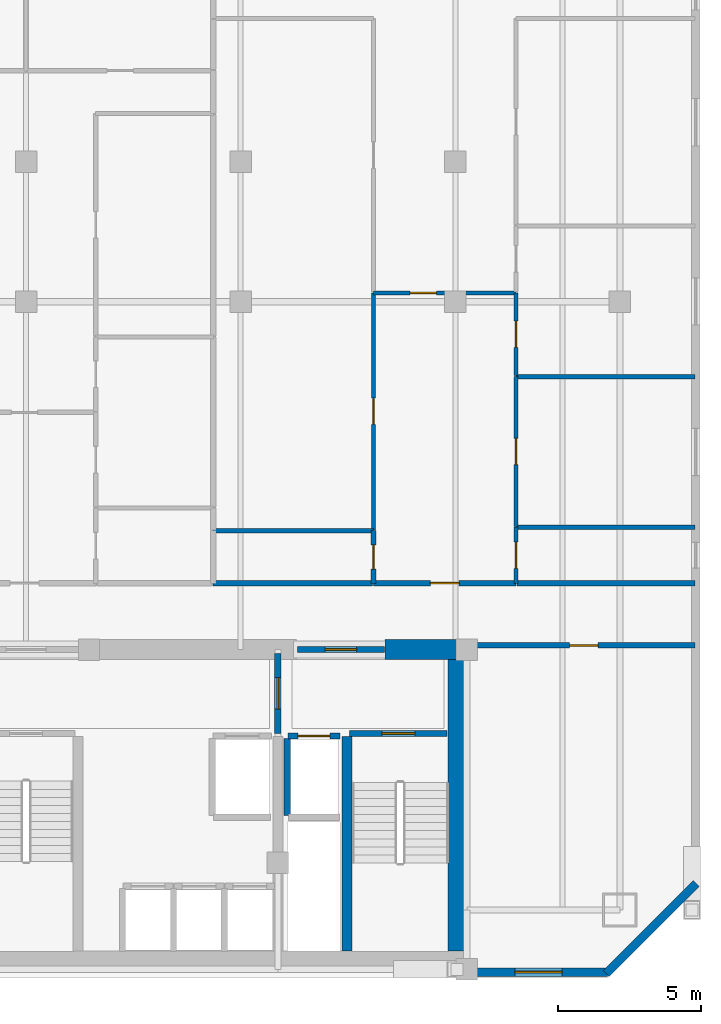
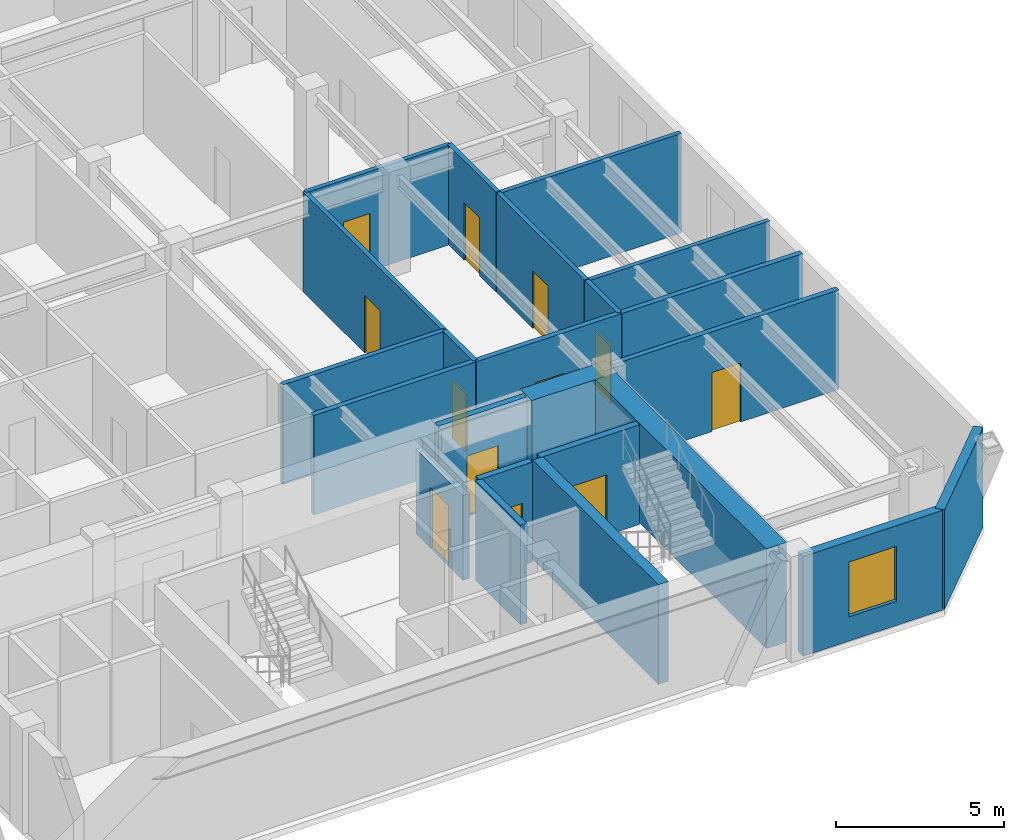
# One storey, part 5 of 8: 23 walls, 12 doors, 1 window, 13 openings.
"""IFC4 building model written with IfcOpenShell, lengths in metres."""

from ifc_helpers import new_model, si_unit, direction, frame, frame_2d, origin, place, context, subcontext, project, spatial, rectangle, extrude, material, layer, layer_set, type_object, element, fill, save


model = new_model("IFC4")

# Units and contexts
model_context = context("Model", 3, precision=1e-05, world=origin(), true_north=direction((0.0, 1.0)))
body_context = subcontext(model_context, "Body", "Model", "MODEL_VIEW")
ifc_project = project(units=[si_unit("LENGTHUNIT", "METRE"), si_unit("AREAUNIT", "SQUARE_METRE"), si_unit("VOLUMEUNIT", "CUBIC_METRE"), si_unit("PLANEANGLEUNIT", "RADIAN"), si_unit("MASSUNIT", "GRAM", prefix="KILO")], contexts=[model_context])

# Site, building, storey
site_placement = place(None, origin())
site = spatial("IfcSite", under=ifc_project, at=site_placement, CompositionType="ELEMENT")
building_placement = place(site_placement, origin())
building = spatial("IfcBuilding", under=site, at=building_placement, Name="Ventersveld Concourse Tower", CompositionType="ELEMENT")
storey_placement = place(building_placement, frame((0.0, 0.0, 183.699951171875)))
storey = spatial("IfcBuildingStorey", under=building, at=storey_placement, Name="L45", CompositionType="ELEMENT", Elevation=183.699951171875)

# Walls
ifc_material_1 = material(Name="Concrete C60/75", Category="concrete")
ifc_layer_1 = layer(ifc_material_1, 0.35009765625)
ifc_layer_set_1 = layer_set([ifc_layer_1], Name="Concrete C60/75")
wall_type_1 = type_object("IfcWallType", Name="WL-CORE-350L", PredefinedType="SHEAR", material=ifc_layer_set_1)
wall_1_placement = place(storey_placement, frame((39.9599609375, 0.919921875, 0.0), z_axis=(0.0, 0.0, 1.0), x_axis=(0.0, 1.0, 0.0)))
element("IfcWall", 1, at=wall_1_placement, inside=storey, type_object=wall_type_1, Name="L45 Core Internal Shear Web W-ST2-W", PredefinedType="SHEAR", context=body_context, shape_type="SweptSolid", body=[
    extrude(rectangle(XDim=7.5, YDim=0.35009765625, at=frame_2d((3.75, 0.0))), origin(), (0.0, 0.0, 1.0), 3.630126953125),
])
ifc_layer_2 = layer(ifc_material_1, 0.699951171875)
ifc_layer_set_2 = layer_set([ifc_layer_2], Name="Concrete C60/75")
wall_type_2 = type_object("IfcWallType", Name="WL-CORE-700", PredefinedType="SHEAR", material=ifc_layer_set_2)
wall_2_placement = place(storey_placement, frame((43.85009765625, 0.919921875, 0.0), z_axis=(0.0, 0.0, 1.0), x_axis=(0.0, 1.0, 0.0)))
element("IfcWall", 2, at=wall_2_placement, inside=storey, type_object=wall_type_2, Name="L45 Rear Core East Shear Wall", PredefinedType="SHEAR", context=body_context, shape_type="SweptSolid", body=[
    extrude(rectangle(XDim=10.530029296875, YDim=0.699951171875, at=frame_2d((5.26513671875, 0.0))), origin(), (0.0, 0.0, 1.0), 3.630126953125),
])
wall_3_placement = place(storey_placement, frame((41.300048828125, 11.449951171875, 0.0), z_axis=(0.0, 0.0, 1.0), x_axis=(1.0, 0.0, 0.0)))
element("IfcWall", 3, at=wall_3_placement, inside=storey, type_object=wall_type_2, Name="L45 Rear Core North Shear Wall NE", PredefinedType="SHEAR", context=body_context, shape_type="SweptSolid", body=[
    extrude(rectangle(XDim=2.949951171875, YDim=0.699951171875, at=frame_2d((1.47509765625, 0.0))), origin(), (0.0, 0.0, 1.0), 3.630126953125),
])

# Wall, opening, door
ifc_material_2 = material(Name="Fire-rated autoclaved aerated masonry blockwork", Category="masonry")
ifc_layer_3 = layer(ifc_material_2, 0.179931640625)
ifc_layer_set_3 = layer_set([ifc_layer_3], Name="Fire-rated autoclaved aerated masonry blockwork")
wall_type_3 = type_object("IfcWallType", Name="WL-CORR-180", PredefinedType="PARTITIONING", material=ifc_layer_set_3)
wall_4_placement = place(storey_placement, frame((44.35498046875, 11.60009765625, 0.0), z_axis=(0.0, 0.0, 1.0), x_axis=(1.0, 0.0, 0.0)))
wall_4 = element("IfcWall", 4, at=wall_4_placement, inside=storey, type_object=wall_type_3, Name="L45 Interior Partition SP-L45-SE-OFF-SP-L45-COR", PredefinedType="PARTITIONING", context=body_context, shape_type="SweptSolid", body=[
    extrude(rectangle(XDim=7.7724609375, YDim=0.179931640625, at=frame_2d((3.88623046875, 0.0))), origin(), (0.0, 0.0, 1.0), 3.630126953125),
])
opening_1_placement = place(wall_4_placement, frame((3.38623046875, 0.0, 0.0)))
opening_1 = element("IfcOpeningElement", 5, at=opening_1_placement, cuts=wall_4, Name="Opening FD3", PredefinedType="OPENING", context=body_context, shape_type="SweptSolid", body=[
    extrude(rectangle(XDim=1.0, YDim=2.14990234375, at=frame_2d((0.5, 1.074951171875))), frame((0.0, 0.10009765625, 0.0), z_axis=(0.0, -1.0, 0.0), x_axis=(1.0, 0.0, 0.0)), (0.0, 0.0, 1.0), 0.199951171875),
])
ifc_material_3 = material(Name="Solid-core hardwood veneer timber", Category="wood")
door_type_1 = type_object("IfcDoorType", Name="DR-FLAT-100", OperationType="NOTDEFINED", PredefinedType="DOOR", material=ifc_material_3)
door_1_placement = place(opening_1_placement, origin())
door_1 = element("IfcDoor", 6, at=door_1_placement, inside=storey, type_object=door_type_1, Name="L45 Interior Door SP-L45-SE-OFF to SP-L45-COR (D-L45-2203)", OperationType="SINGLE_SWING_LEFT", OverallHeight=2.14990234375, OverallWidth=1.0, PredefinedType="DOOR", context=body_context, shape_type="SweptSolid", body=[
    extrude(rectangle(XDim=1.0, YDim=2.14990234375, at=frame_2d((0.5, 1.074951171875))), frame((0.0, 0.02490234375, 0.0), z_axis=(0.0, -1.0, 0.0), x_axis=(1.0, 0.0, 0.0)), (0.0, 0.0, 1.0), 0.050048828125),
])
fill(opening_1, door_1)

wall_5_placement = place(storey_placement, frame((40.885009765625, 13.77001953125, 0.0), z_axis=(0.0, 0.0, 1.0), x_axis=(1.0, 0.0, 0.0)))
wall_5 = element("IfcWall", 7, at=wall_5_placement, inside=storey, type_object=wall_type_3, Name="L45 Interior Partition SP-L45-COR-SP-L45-45CE-FOY", PredefinedType="PARTITIONING", context=body_context, shape_type="SweptSolid", body=[
    extrude(rectangle(XDim=4.989990234375, YDim=0.179931640625, at=frame_2d((2.4951171875, 0.0))), origin(), (0.0, 0.0, 1.0), 3.630126953125),
])
opening_2_placement = place(wall_5_placement, frame((1.9951171875, 0.0, 0.0)))
opening_2 = element("IfcOpeningElement", 8, at=opening_2_placement, cuts=wall_5, Name="Opening FD3", PredefinedType="OPENING", context=body_context, shape_type="SweptSolid", body=[
    extrude(rectangle(XDim=1.0, YDim=2.14990234375, at=frame_2d((0.5, 1.074951171875))), frame((0.0, 0.10009765625, 0.0), z_axis=(0.0, -1.0, 0.0), x_axis=(1.0, 0.0, 0.0)), (0.0, 0.0, 1.0), 0.199951171875),
])
door_2_placement = place(opening_2_placement, origin())
door_2 = element("IfcDoor", 9, at=door_2_placement, inside=storey, type_object=door_type_1, Name="L45 Interior Door SP-L45-COR to SP-L45-45CE-FOY (FD-L45-2206)", OperationType="SINGLE_SWING_RIGHT", OverallHeight=2.14990234375, OverallWidth=1.0, PredefinedType="DOOR", context=body_context, shape_type="SweptSolid", body=[
    extrude(rectangle(XDim=1.0, YDim=2.14990234375, at=frame_2d((0.5, 1.074951171875))), frame((0.0, 0.02490234375, 0.0), z_axis=(0.0, -1.0, 0.0), x_axis=(1.0, 0.0, 0.0)), (0.0, 0.0, 1.0), 0.050048828125),
])
fill(opening_2, door_2)

# Walls
wall_6_placement = place(storey_placement, frame((35.284912109375, 13.77001953125, 0.0), z_axis=(0.0, 0.0, 1.0), x_axis=(1.0, 0.0, 0.0)))
element("IfcWall", 10, at=wall_6_placement, inside=storey, type_object=wall_type_3, Name="L45 Interior Partition SP-L45-COR-SP-L45-45CE-BATH", PredefinedType="PARTITIONING", context=body_context, shape_type="SweptSolid", body=[
    extrude(rectangle(XDim=5.570068359375, YDim=0.179931640625, at=frame_2d((2.78515625, 0.0))), origin(), (0.0, 0.0, 1.0), 3.630126953125),
])
wall_7_placement = place(storey_placement, frame((45.905029296875, 13.77001953125, 0.0), z_axis=(0.0, 0.0, 1.0), x_axis=(1.0, 0.0, 0.0)))
element("IfcWall", 11, at=wall_7_placement, inside=storey, type_object=wall_type_3, Name="L45 Interior Partition SP-L45-COR-SP-L45-45CE-KIT", PredefinedType="PARTITIONING", context=body_context, shape_type="SweptSolid", body=[
    extrude(rectangle(XDim=6.222412109375, YDim=0.179931640625, at=frame_2d((3.111328125, 0.0))), origin(), (0.0, 0.0, 1.0), 3.630126953125),
])
ifc_layer_4 = layer(ifc_material_2, 0.219970703125)
ifc_layer_set_4 = layer_set([ifc_layer_4], Name="Fire-rated autoclaved aerated masonry blockwork")
wall_type_4 = type_object("IfcWallType", Name="WL-HOIST-220", PredefinedType="SOLIDWALL", material=ifc_layer_set_4)
wall_8_placement = place(storey_placement, frame((37.8798828125, 5.64990234375, 0.0), z_axis=(0.0, 0.0, 1.0), x_axis=(0.0, 1.0, 0.0)))
element("IfcWall", 12, at=wall_8_placement, inside=storey, type_object=wall_type_4, Name="L45 Lift Hoistway Side Wall FFL-02W", PredefinedType="SOLIDWALL", context=body_context, shape_type="SweptSolid", body=[
    extrude(rectangle(XDim=2.7001953125, YDim=0.219970703125, at=frame_2d((1.35009765625, 0.0))), origin(), (0.0, 0.0, 1.0), 3.630126953125),
])

# Wall, opening, door
wall_9_placement = place(storey_placement, frame((37.89990234375, 8.429931640625, 0.0), z_axis=(0.0, 0.0, 1.0), x_axis=(1.0, 0.0, 0.0)))
wall_9 = element("IfcWall", 13, at=wall_9_placement, inside=storey, type_object=wall_type_4, Name="L45 Lift Hoistway Front Wall FFL-02", PredefinedType="SOLIDWALL", context=body_context, shape_type="SweptSolid", body=[
    extrude(rectangle(XDim=1.820068359375, YDim=0.219970703125, at=frame_2d((0.91015625, 0.0))), origin(), (0.0, 0.0, 1.0), 3.630126953125),
])
opening_3_placement = place(wall_9_placement, frame((0.35009765625, 0.0, 0.0)))
opening_3 = element("IfcOpeningElement", 14, at=opening_3_placement, cuts=wall_9, Name="Opening LD1", PredefinedType="OPENING", context=body_context, shape_type="SweptSolid", body=[
    extrude(rectangle(XDim=1.1201171875, YDim=2.25, at=frame_2d((0.56005859375, 1.125))), frame((0.0, 0.1201171875, 0.0), z_axis=(0.0, -1.0, 0.0), x_axis=(1.0, 0.0, 0.0)), (0.0, 0.0, 1.0), 0.239990234375),
])
ifc_material_4 = material(Name="Brushed stainless steel 316", Category="steel")
door_type_2 = type_object("IfcDoorType", Name="LD-FF-112", OperationType="SLIDING_TO_LEFT", PredefinedType="DOOR", material=ifc_material_4)
door_3_placement = place(opening_3_placement, origin())
door_3 = element("IfcDoor", 15, at=door_3_placement, inside=storey, type_object=door_type_2, Name="L45 Lift landing door FFL-02 (LD-L45-FFL-02)", OperationType="SLIDING_TO_RIGHT", OverallHeight=2.25, OverallWidth=1.1201171875, PredefinedType="DOOR", context=body_context, shape_type="SweptSolid", body=[
    extrude(rectangle(XDim=1.1201171875, YDim=2.25, at=frame_2d((0.56005859375, 1.125))), frame((0.0, 0.02490234375, 0.0), z_axis=(0.0, -1.0, 0.0), x_axis=(1.0, 0.0, 0.0)), (0.0, 0.0, 1.0), 0.050048828125),
])
fill(opening_3, door_3)

wall_10_placement = place(storey_placement, frame((40.06005859375, 8.52001953125, 0.0), z_axis=(0.0, 0.0, 1.0), x_axis=(1.0, 0.0, 0.0)))
wall_10 = element("IfcWall", 16, at=wall_10_placement, inside=storey, type_object=wall_type_4, Name="L45 Escape Stair ST02 Fire Wall", PredefinedType="SOLIDWALL", context=body_context, shape_type="SweptSolid", body=[
    extrude(rectangle(XDim=3.39990234375, YDim=0.219970703125, at=frame_2d((1.699951171875, 0.0))), origin(), (0.0, 0.0, 1.0), 3.630126953125),
])
opening_4_placement = place(wall_10_placement, frame((1.125, 0.0, 0.0)))
opening_4 = element("IfcOpeningElement", 17, at=opening_4_placement, cuts=wall_10, Name="Opening FD1", PredefinedType="OPENING", context=body_context, shape_type="SweptSolid", body=[
    extrude(rectangle(XDim=1.14990234375, YDim=2.199951171875, at=frame_2d((0.574951171875, 1.10009765625))), frame((0.0, 0.1201171875, 0.0), z_axis=(0.0, -1.0, 0.0), x_axis=(1.0, 0.0, 0.0)), (0.0, 0.0, 1.0), 0.239990234375),
])
ifc_material_5 = material(Name="Galvanised painted steel", Category="steel")
door_type_3 = type_object("IfcDoorType", Name="DR-STAIR-115", OperationType="NOTDEFINED", PredefinedType="DOOR", material=ifc_material_5)
door_4_placement = place(opening_4_placement, origin())
door_4 = element("IfcDoor", 18, at=door_4_placement, inside=storey, type_object=door_type_3, Name="L45 Escape Stair Door ST02 (SD-L45-2194)", OperationType="SINGLE_SWING_RIGHT", OverallHeight=2.199951171875, OverallWidth=1.14990234375, PredefinedType="DOOR", context=body_context, shape_type="SweptSolid", body=[
    extrude(rectangle(XDim=1.14990234375, YDim=2.199951171875, at=frame_2d((0.574951171875, 1.10009765625))), frame((0.0, 0.02490234375, 0.0), z_axis=(0.0, -1.0, 0.0), x_axis=(1.0, 0.0, 0.0)), (0.0, 0.0, 1.0), 0.050048828125),
])
fill(opening_4, door_4)

wall_11_placement = place(storey_placement, frame((37.550048828125, 8.52001953125, 0.0), z_axis=(0.0, 0.0, 1.0), x_axis=(0.0, 1.0, 0.0)))
wall_11 = element("IfcWall", 19, at=wall_11_placement, inside=storey, type_object=wall_type_4, Name="L45 Firefighting Lobby Smoke-Stop Wall FFLE-SEP", PredefinedType="SOLIDWALL", context=body_context, shape_type="SweptSolid", body=[
    extrude(rectangle(XDim=2.800048828125, YDim=0.219970703125, at=frame_2d((1.39990234375, 0.0))), origin(), (0.0, 0.0, 1.0), 3.08544921875),
])
opening_5_placement = place(wall_11_placement, frame((0.85009765625, 0.0, 0.0)))
opening_5 = element("IfcOpeningElement", 20, at=opening_5_placement, cuts=wall_11, Name="Opening FD2", PredefinedType="OPENING", context=body_context, shape_type="SweptSolid", body=[
    extrude(rectangle(XDim=1.10009765625, YDim=2.199951171875, at=frame_2d((0.550048828125, 1.10009765625))), frame((0.0, 0.1201171875, 0.0), z_axis=(0.0, -1.0, 0.0), x_axis=(1.0, 0.0, 0.0)), (0.0, 0.0, 1.0), 0.239990234375),
])
door_type_4 = type_object("IfcDoorType", Name="DR-FFL-110", OperationType="NOTDEFINED", PredefinedType="DOOR", material=ifc_material_5)
door_5_placement = place(opening_5_placement, origin())
door_5 = element("IfcDoor", 21, at=door_5_placement, inside=storey, type_object=door_type_4, Name="L45 Firefighting Lobby Door FFLE-SEP (FD-L45-2197)", OperationType="SINGLE_SWING_RIGHT", OverallHeight=2.199951171875, OverallWidth=1.10009765625, PredefinedType="DOOR", context=body_context, shape_type="SweptSolid", body=[
    extrude(rectangle(XDim=1.10009765625, YDim=2.199951171875, at=frame_2d((0.550048828125, 1.10009765625))), frame((0.0, 0.02490234375, 0.0), z_axis=(0.0, -1.0, 0.0), x_axis=(1.0, 0.0, 0.0)), (0.0, 0.0, 1.0), 0.050048828125),
])
fill(opening_5, door_5)

wall_12_placement = place(storey_placement, frame((38.22998046875, 11.449951171875, 0.0), z_axis=(0.0, 0.0, 1.0), x_axis=(1.0, 0.0, 0.0)))
wall_12 = element("IfcWall", 22, at=wall_12_placement, inside=storey, type_object=wall_type_4, Name="L45 Core North Fire Portal FFLE-OUT", PredefinedType="SOLIDWALL", context=body_context, shape_type="SweptSolid", body=[
    extrude(rectangle(XDim=3.0400390625, YDim=0.219970703125, at=frame_2d((1.52001953125, 0.0))), origin(), (0.0, 0.0, 1.0), 3.630126953125),
])
opening_6_placement = place(wall_12_placement, frame((0.969970703125, 0.0, 0.0)))
opening_6 = element("IfcOpeningElement", 23, at=opening_6_placement, cuts=wall_12, Name="Opening FD2", PredefinedType="OPENING", context=body_context, shape_type="SweptSolid", body=[
    extrude(rectangle(XDim=1.10009765625, YDim=2.199951171875, at=frame_2d((0.550048828125, 1.10009765625))), frame((0.0, 0.1201171875, 0.0), z_axis=(0.0, -1.0, 0.0), x_axis=(1.0, 0.0, 0.0)), (0.0, 0.0, 1.0), 0.239990234375),
])
door_6_placement = place(opening_6_placement, origin())
door_6 = element("IfcDoor", 24, at=door_6_placement, inside=storey, type_object=door_type_4, Name="L45 Core Lobby Fire Door FFLE-OUT (FD-L45-2200)", OperationType="SINGLE_SWING_LEFT", OverallHeight=2.199951171875, OverallWidth=1.10009765625, PredefinedType="DOOR", context=body_context, shape_type="SweptSolid", body=[
    extrude(rectangle(XDim=1.10009765625, YDim=2.199951171875, at=frame_2d((0.550048828125, 1.10009765625))), frame((0.0, 0.02490234375, 0.0), z_axis=(0.0, -1.0, 0.0), x_axis=(1.0, 0.0, 0.0)), (0.0, 0.0, 1.0), 0.050048828125),
])
fill(opening_6, door_6)

ifc_material_6 = material(Name="Autoclaved aerated masonry blockwork", Category="masonry")
ifc_layer_5 = layer(ifc_material_6, 0.14990234375)
ifc_layer_set_5 = layer_set([ifc_layer_5], Name="Autoclaved aerated masonry blockwork")
wall_type_5 = type_object("IfcWallType", Name="WL-INT-150", PredefinedType="PARTITIONING", material=ifc_layer_set_5)
wall_13_placement = place(storey_placement, frame((40.885009765625, 23.913330078125, 0.0), z_axis=(0.0, 0.0, 1.0), x_axis=(1.0, 0.0, 0.0)))
wall_13 = element("IfcWall", 25, at=wall_13_placement, inside=storey, type_object=wall_type_5, Name="L45 Interior Partition SP-L45-45CE-FOY-SP-L45-45CE-LIV", PredefinedType="PARTITIONING", context=body_context, shape_type="SweptSolid", body=[
    extrude(rectangle(XDim=4.989990234375, YDim=0.14990234375, at=frame_2d((2.4951171875, 0.0))), origin(), (0.0, 0.0, 1.0), 3.630126953125),
])
opening_7_placement = place(wall_13_placement, frame((1.28662109375, 0.0, 0.0)))
opening_7 = element("IfcOpeningElement", 26, at=opening_7_placement, cuts=wall_13, Name="Opening ID1", PredefinedType="OPENING", context=body_context, shape_type="SweptSolid", body=[
    extrude(rectangle(XDim=0.919921875, YDim=2.10009765625, at=frame_2d((0.4599609375, 1.050048828125))), frame((0.0, 0.0849609375, 0.0), z_axis=(0.0, -1.0, 0.0), x_axis=(1.0, 0.0, 0.0)), (0.0, 0.0, 1.0), 0.169921875),
])
door_type_5 = type_object("IfcDoorType", Name="DR-ROOM-092", OperationType="NOTDEFINED", PredefinedType="DOOR", material=ifc_material_3)
door_7_placement = place(opening_7_placement, origin())
door_7 = element("IfcDoor", 27, at=door_7_placement, inside=storey, type_object=door_type_5, Name="L45 Interior Door SP-L45-45CE-FOY to SP-L45-45CE-LIV (D-L45-2219)", OperationType="SINGLE_SWING_LEFT", OverallHeight=2.10009765625, OverallWidth=0.919921875, PredefinedType="DOOR", context=body_context, shape_type="SweptSolid", body=[
    extrude(rectangle(XDim=0.919921875, YDim=2.10009765625, at=frame_2d((0.4599609375, 1.050048828125))), frame((0.0, 0.02490234375, 0.0), z_axis=(0.0, -1.0, 0.0), x_axis=(1.0, 0.0, 0.0)), (0.0, 0.0, 1.0), 0.050048828125),
])
fill(opening_7, door_7)

wall_14_placement = place(storey_placement, frame((40.889892578125, 15.635009765625, 0.0), z_axis=(0.0, 0.0, 1.0), x_axis=(0.0, 1.0, 0.0)))
wall_14 = element("IfcWall", 28, at=wall_14_placement, inside=storey, type_object=wall_type_5, Name="L45 Interior Partition SP-L45-45CE-FOY-SP-L45-45CE-MEDL0", PredefinedType="PARTITIONING", context=body_context, shape_type="SweptSolid", body=[
    extrude(rectangle(XDim=8.283203125, YDim=0.14990234375, at=frame_2d((4.1416015625, 0.0))), origin(), (0.0, 0.0, 1.0), 3.630126953125),
])
opening_8_placement = place(wall_14_placement, frame((3.681640625, 0.0, 0.0)))
opening_8 = element("IfcOpeningElement", 29, at=opening_8_placement, cuts=wall_14, Name="Opening ID1", PredefinedType="OPENING", context=body_context, shape_type="SweptSolid", body=[
    extrude(rectangle(XDim=0.919921875, YDim=2.10009765625, at=frame_2d((0.4599609375, 1.050048828125))), frame((0.0, 0.0849609375, 0.0), z_axis=(0.0, -1.0, 0.0), x_axis=(1.0, 0.0, 0.0)), (0.0, 0.0, 1.0), 0.169921875),
])
door_8_placement = place(opening_8_placement, origin())
door_8 = element("IfcDoor", 30, at=door_8_placement, inside=storey, type_object=door_type_5, Name="L45 Interior Door SP-L45-45CE-FOY to SP-L45-45CE-MEDL0 (D-L45-2221)", OperationType="SINGLE_SWING_LEFT", OverallHeight=2.10009765625, OverallWidth=0.919921875, PredefinedType="DOOR", context=body_context, shape_type="SweptSolid", body=[
    extrude(rectangle(XDim=0.919921875, YDim=2.10009765625, at=frame_2d((0.4599609375, 1.050048828125))), frame((0.0, 0.02490234375, 0.0), z_axis=(0.0, -1.0, 0.0), x_axis=(1.0, 0.0, 0.0)), (0.0, 0.0, 1.0), 0.050048828125),
])
fill(opening_8, door_8)

wall_15_placement = place(storey_placement, frame((45.8701171875, 13.764892578125, 0.0), z_axis=(0.0, 0.0, 1.0), x_axis=(0.0, 1.0, 0.0)))
wall_15 = element("IfcWall", 31, at=wall_15_placement, inside=storey, type_object=wall_type_5, Name="L45 Interior Partition SP-L45-45CE-FOY-SP-L45-45CE-KIT", PredefinedType="PARTITIONING", context=body_context, shape_type="SweptSolid", body=[
    extrude(rectangle(XDim=1.96142578125, YDim=0.14990234375, at=frame_2d((0.980712890625, 0.0))), origin(), (0.0, 0.0, 1.0), 3.630126953125),
])
opening_9_placement = place(wall_15_placement, frame((0.5205078125, 0.0, 0.0)))
opening_9 = element("IfcOpeningElement", 32, at=opening_9_placement, cuts=wall_15, Name="Opening ID1", PredefinedType="OPENING", context=body_context, shape_type="SweptSolid", body=[
    extrude(rectangle(XDim=0.919921875, YDim=2.10009765625, at=frame_2d((0.4599609375, 1.050048828125))), frame((0.0, 0.0849609375, 0.0), z_axis=(0.0, -1.0, 0.0), x_axis=(1.0, 0.0, 0.0)), (0.0, 0.0, 1.0), 0.169921875),
])
door_9_placement = place(opening_9_placement, origin())
door_9 = element("IfcDoor", 33, at=door_9_placement, inside=storey, type_object=door_type_5, Name="L45 Interior Door SP-L45-45CE-FOY to SP-L45-45CE-KIT (D-L45-2222)", OperationType="SINGLE_SWING_RIGHT", OverallHeight=2.10009765625, OverallWidth=0.919921875, PredefinedType="DOOR", context=body_context, shape_type="SweptSolid", body=[
    extrude(rectangle(XDim=0.919921875, YDim=2.10009765625, at=frame_2d((0.4599609375, 1.050048828125))), frame((0.0, 0.02490234375, 0.0), z_axis=(0.0, -1.0, 0.0), x_axis=(1.0, 0.0, 0.0)), (0.0, 0.0, 1.0), 0.050048828125),
])
fill(opening_9, door_9)

wall_16_placement = place(storey_placement, frame((45.8701171875, 15.756103515625, 0.0), z_axis=(0.0, 0.0, 1.0), x_axis=(0.0, 1.0, 0.0)))
wall_16 = element("IfcWall", 34, at=wall_16_placement, inside=storey, type_object=wall_type_5, Name="L45 Interior Partition SP-L45-45CE-FOY-SP-L45-45CE-DENR", PredefinedType="PARTITIONING", context=body_context, shape_type="SweptSolid", body=[
    extrude(rectangle(XDim=5.23388671875, YDim=0.14990234375, at=frame_2d((2.616943359375, 0.0))), origin(), (0.0, 0.0, 1.0), 3.630126953125),
])
opening_10_placement = place(wall_16_placement, frame((2.15673828125, 0.0, 0.0)))
opening_10 = element("IfcOpeningElement", 35, at=opening_10_placement, cuts=wall_16, Name="Opening ID1", PredefinedType="OPENING", context=body_context, shape_type="SweptSolid", body=[
    extrude(rectangle(XDim=0.919921875, YDim=2.10009765625, at=frame_2d((0.4599609375, 1.050048828125))), frame((0.0, 0.0849609375, 0.0), z_axis=(0.0, -1.0, 0.0), x_axis=(1.0, 0.0, 0.0)), (0.0, 0.0, 1.0), 0.169921875),
])
door_10_placement = place(opening_10_placement, origin())
door_10 = element("IfcDoor", 36, at=door_10_placement, inside=storey, type_object=door_type_5, Name="L45 Interior Door SP-L45-45CE-FOY to SP-L45-45CE-DENR (D-L45-2223)", OperationType="SINGLE_SWING_LEFT", OverallHeight=2.10009765625, OverallWidth=0.919921875, PredefinedType="DOOR", context=body_context, shape_type="SweptSolid", body=[
    extrude(rectangle(XDim=0.919921875, YDim=2.10009765625, at=frame_2d((0.4599609375, 1.050048828125))), frame((0.0, 0.02490234375, 0.0), z_axis=(0.0, -1.0, 0.0), x_axis=(1.0, 0.0, 0.0)), (0.0, 0.0, 1.0), 0.050048828125),
])
fill(opening_10, door_10)

wall_17_placement = place(storey_placement, frame((45.8701171875, 21.02001953125, 0.0), z_axis=(0.0, 0.0, 1.0), x_axis=(0.0, 1.0, 0.0)))
wall_17 = element("IfcWall", 37, at=wall_17_placement, inside=storey, type_object=wall_type_5, Name="L45 Interior Partition SP-L45-45CE-FOY-SP-L45-45CE-DENS", PredefinedType="PARTITIONING", context=body_context, shape_type="SweptSolid", body=[
    extrude(rectangle(XDim=2.898193359375, YDim=0.14990234375, at=frame_2d((1.44921875, 0.0))), origin(), (0.0, 0.0, 1.0), 3.630126953125),
])
opening_11_placement = place(wall_17_placement, frame((0.9892578125, 0.0, 0.0)))
opening_11 = element("IfcOpeningElement", 38, at=opening_11_placement, cuts=wall_17, Name="Opening ID1", PredefinedType="OPENING", context=body_context, shape_type="SweptSolid", body=[
    extrude(rectangle(XDim=0.919921875, YDim=2.10009765625, at=frame_2d((0.4599609375, 1.050048828125))), frame((0.0, 0.0849609375, 0.0), z_axis=(0.0, -1.0, 0.0), x_axis=(1.0, 0.0, 0.0)), (0.0, 0.0, 1.0), 0.169921875),
])
door_11_placement = place(opening_11_placement, origin())
door_11 = element("IfcDoor", 39, at=door_11_placement, inside=storey, type_object=door_type_5, Name="L45 Interior Door SP-L45-45CE-FOY to SP-L45-45CE-DENS (D-L45-2224)", OperationType="SINGLE_SWING_RIGHT", OverallHeight=2.10009765625, OverallWidth=0.919921875, PredefinedType="DOOR", context=body_context, shape_type="SweptSolid", body=[
    extrude(rectangle(XDim=0.919921875, YDim=2.10009765625, at=frame_2d((0.4599609375, 1.050048828125))), frame((0.0, 0.02490234375, 0.0), z_axis=(0.0, -1.0, 0.0), x_axis=(1.0, 0.0, 0.0)), (0.0, 0.0, 1.0), 0.050048828125),
])
fill(opening_11, door_11)

# Walls
for number, where, z_axis, x_axis, name in (
    (40, (45.864990234375, 15.72119140625, 0.0), (0.0, 0.0, 1.0), (1.0, 0.0, 0.0), "L45 Interior Partition SP-L45-45CE-KIT-SP-L45-45CE-DENR"),
    (41, (45.864990234375, 20.98486328125, 0.0), (0.0, 0.0, 1.0), (1.0, 0.0, 0.0), "L45 Interior Partition SP-L45-45CE-DENR-SP-L45-45CE-DENS"),
):
    element("IfcWall", number, at=place(storey_placement, frame(where, z_axis=z_axis, x_axis=x_axis)), inside=storey, type_object=wall_type_5, Name=name, PredefinedType="PARTITIONING", context=body_context, shape_type="SweptSolid", body=[
        extrude(rectangle(XDim=6.262451171875, YDim=0.14990234375, at=frame_2d((3.13134765625, 0.0))), origin(), (0.0, 0.0, 1.0), 3.630126953125),
    ])

# Wall, opening, window
ifc_material_7 = material(Name="Precast concrete C45/55", Category="concrete")
ifc_layer_6 = layer(ifc_material_7, 0.300048828125)
ifc_layer_set_6 = layer_set([ifc_layer_6], Name="Precast concrete C45/55")
wall_type_6 = type_object("IfcWallType", Name="WL-PREC-300", PredefinedType="SOLIDWALL", material=ifc_layer_set_6)
wall_18_placement = place(storey_placement, frame((44.25, 0.179931640625, 0.0), z_axis=(0.0, 0.0, 1.0), x_axis=(1.0, 0.0, 0.0)))
wall_18 = element("IfcWall", 42, at=wall_18_placement, inside=storey, type_object=wall_type_6, Name="L45 South-East Flank Precast Wall", PredefinedType="SOLIDWALL", context=body_context, shape_type="SweptSolid", body=[
    extrude(rectangle(XDim=4.81005859375, YDim=0.300048828125, at=frame_2d((2.405029296875, 0.0))), origin(), (0.0, 0.0, 1.0), 3.630126953125),
])
opening_12_placement = place(wall_18_placement, frame((1.580078125, 0.0, 0.8798828125)))
opening_12 = element("IfcOpeningElement", 43, at=opening_12_placement, cuts=wall_18, Name="Opening W6", PredefinedType="OPENING", context=body_context, shape_type="SweptSolid", body=[
    extrude(rectangle(XDim=1.64990234375, YDim=2.0, at=frame_2d((0.824951171875, 1.0))), frame((0.0, 0.16015625, 0.0), z_axis=(0.0, -1.0, 0.0), x_axis=(1.0, 0.0, 0.0)), (0.0, 0.0, 1.0), 0.320068359375),
])
ifc_material_8 = material(Name="Tempered acoustic Low-E IGU", Category="glass")
window_type = type_object("IfcWindowType", Name="WIN-165x200", PartitioningType="SINGLE_PANEL", PredefinedType="WINDOW", material=ifc_material_8)
window_placement = place(opening_12_placement, origin())
window = element("IfcWindow", 44, at=window_placement, inside=storey, type_object=window_type, Name="L45 Punched Low-E Window W-0620", OverallHeight=2.0, OverallWidth=1.64990234375, PartitioningType="SINGLE_PANEL", PredefinedType="WINDOW", context=body_context, shape_type="SweptSolid", body=[
    extrude(rectangle(XDim=1.64990234375, YDim=2.0, at=frame_2d((0.824951171875, 1.0))), frame((0.0, 0.030029296875, 0.0), z_axis=(0.0, -1.0, 0.0), x_axis=(1.0, 0.0, 0.0)), (0.0, 0.0, 1.0), 0.06005859375),
])
fill(opening_12, window)

# Wall
wall_19_placement = place(storey_placement, frame((49.022216796875, 0.134521484375, 0.0), z_axis=(0.0, 0.0, 1.0), x_axis=(0.707106781187, 0.707106781187, 0.0)))
element("IfcWall", 45, at=wall_19_placement, inside=storey, type_object=wall_type_6, Name="L45 Highveld Precast Facade Wall E02", PredefinedType="SOLIDWALL", context=body_context, shape_type="SweptSolid", body=[
    extrude(rectangle(XDim=4.4453125, YDim=0.300048828125, at=frame_2d((2.22265625, 0.0))), origin(), (0.0, 0.0, 1.0), 3.630126953125),
])

# Wall, opening, door
ifc_layer_7 = layer(ifc_material_6, 0.1650390625)
ifc_layer_set_7 = layer_set([ifc_layer_7], Name="Autoclaved aerated masonry blockwork")
wall_type_7 = type_object("IfcWallType", Name="WL-WET-165", PredefinedType="PLUMBINGWALL", material=ifc_layer_set_7)
wall_20_placement = place(storey_placement, frame((40.889892578125, 13.764892578125, 0.0), z_axis=(0.0, 0.0, 1.0), x_axis=(0.0, 1.0, 0.0)))
wall_20 = element("IfcWall", 46, at=wall_20_placement, inside=storey, type_object=wall_type_7, Name="L45 Interior Partition SP-L45-45CE-FOY-SP-L45-45CE-BATH", PredefinedType="PLUMBINGWALL", context=body_context, shape_type="SweptSolid", body=[
    extrude(rectangle(XDim=1.840087890625, YDim=0.1650390625, at=frame_2d((0.919921875, 0.0))), origin(), (0.0, 0.0, 1.0), 3.630126953125),
])
opening_13_placement = place(wall_20_placement, frame((0.4951171875, 0.0, 0.0)))
opening_13 = element("IfcOpeningElement", 47, at=opening_13_placement, cuts=wall_20, Name="Opening ID2", PredefinedType="OPENING", context=body_context, shape_type="SweptSolid", body=[
    extrude(rectangle(XDim=0.85009765625, YDim=2.10009765625, at=frame_2d((0.425048828125, 1.050048828125))), frame((0.0, 0.092529296875, 0.0), z_axis=(0.0, -1.0, 0.0), x_axis=(1.0, 0.0, 0.0)), (0.0, 0.0, 1.0), 0.18505859375),
])
door_type_6 = type_object("IfcDoorType", Name="DR-BATH-085", OperationType="NOTDEFINED", PredefinedType="DOOR", material=ifc_material_3)
door_12_placement = place(opening_13_placement, origin())
door_12 = element("IfcDoor", 48, at=door_12_placement, inside=storey, type_object=door_type_6, Name="L45 Interior Door SP-L45-45CE-FOY to SP-L45-45CE-BATH (D-L45-2220)", OperationType="SINGLE_SWING_RIGHT", OverallHeight=2.10009765625, OverallWidth=0.85009765625, PredefinedType="DOOR", context=body_context, shape_type="SweptSolid", body=[
    extrude(rectangle(XDim=0.85009765625, YDim=2.10009765625, at=frame_2d((0.425048828125, 1.050048828125))), frame((0.0, 0.02490234375, 0.0), z_axis=(0.0, -1.0, 0.0), x_axis=(1.0, 0.0, 0.0)), (0.0, 0.0, 1.0), 0.050048828125),
])
fill(opening_13, door_12)

# Wall
wall_21_placement = place(storey_placement, frame((35.284912109375, 15.60009765625, 0.0), z_axis=(0.0, 0.0, 1.0), x_axis=(1.0, 0.0, 0.0)))
element("IfcWall", 49, at=wall_21_placement, inside=storey, type_object=wall_type_7, Name="L45 Interior Partition SP-L45-45CE-BATH-SP-L45-45CE-MEDL0", PredefinedType="PLUMBINGWALL", context=body_context, shape_type="SweptSolid", body=[
    extrude(rectangle(XDim=5.610107421875, YDim=0.1650390625, at=frame_2d((2.80517578125, 0.0))), origin(), (0.0, 0.0, 1.0), 3.630126953125),
])

save(model, "model.ifc")
